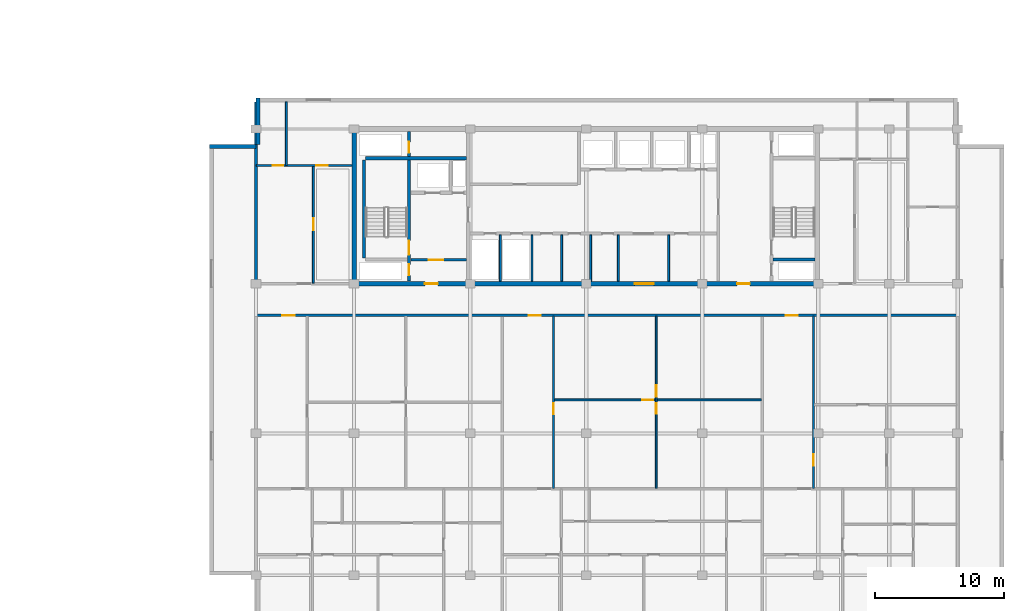
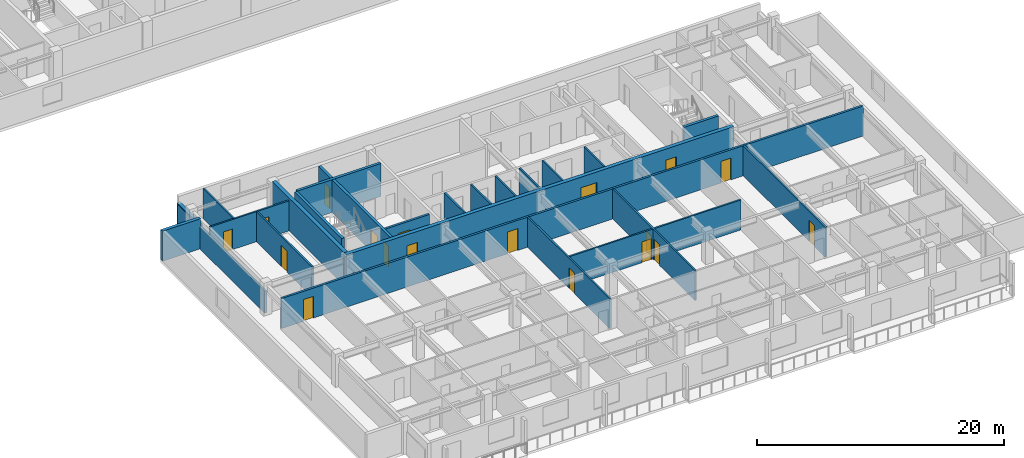
# One storey, part 6 of 24: 24 walls, 18 doors, 18 openings.
"""IFC4 building model written with IfcOpenShell, lengths in metres."""

from ifc_helpers import new_model, si_unit, direction, frame, frame_2d, origin, place, context, subcontext, project, spatial, rectangle, extrude, material, layer, layer_set, type_object, element, fill, save


model = new_model("IFC4")

# Units and contexts
model_context = context("Model", 3, precision=1e-05, world=origin(), true_north=direction((0.0, 1.0)))
body_context = subcontext(model_context, "Body", "Model", "MODEL_VIEW")
ifc_project = project(units=[si_unit("LENGTHUNIT", "METRE"), si_unit("AREAUNIT", "SQUARE_METRE"), si_unit("VOLUMEUNIT", "CUBIC_METRE"), si_unit("PLANEANGLEUNIT", "RADIAN"), si_unit("MASSUNIT", "GRAM", prefix="KILO")], contexts=[model_context])

# Site, building, storey
site_placement = place(None, origin())
site = spatial("IfcSite", under=ifc_project, at=site_placement, CompositionType="ELEMENT")
building_placement = place(site_placement, origin())
building = spatial("IfcBuilding", under=site, at=building_placement, Name="Korimba Cascade Residences", CompositionType="ELEMENT")
storey_placement = place(building_placement, frame((0.0, 0.0, 168.60009765625)))
storey = spatial("IfcBuildingStorey", under=building, at=storey_placement, Name="L48", CompositionType="ELEMENT", Elevation=168.60009765625)

# Walls
ifc_material_1 = material(Name="Precast concrete C40/50", Category="concrete")
ifc_layer_1 = layer(ifc_material_1, 0.300048828125)
ifc_layer_set_1 = layer_set([ifc_layer_1], Name="Precast concrete C40/50")
wall_type_1 = type_object("IfcWallType", Name="EW-STONE-300", PredefinedType="STANDARD", material=ifc_layer_set_1)
wall_1_placement = place(storey_placement, frame((74.64990234375, 32.800048828125, 0.0), z_axis=(0.0, 0.0, 1.0), x_axis=(0.0, -1.0, 0.0)))
element("IfcWall", 1, at=wall_1_placement, inside=storey, type_object=wall_type_1, Name="L48 T2 Perimeter Stone Wall E07", PredefinedType="STANDARD", context=body_context, shape_type="SweptSolid", body=[
    extrude(rectangle(XDim=3.60009765625, YDim=0.300048828125, at=frame_2d((1.800048828125, 0.0))), origin(), (0.0, 0.0, 1.0), 2.2001953125),
])
wall_2_placement = place(storey_placement, frame((74.5, 29.050048828125, 0.0), z_axis=(0.0, 0.0, 1.0), x_axis=(-1.0, 0.0, 0.0)))
element("IfcWall", 2, at=wall_2_placement, inside=storey, type_object=wall_type_1, Name="L48 T2 Perimeter Stone Wall E08", PredefinedType="STANDARD", context=body_context, shape_type="SweptSolid", body=[
    extrude(rectangle(XDim=3.60009765625, YDim=0.300048828125, at=frame_2d((1.800048828125, 0.0))), origin(), (0.0, 0.0, 1.0), 2.969970703125),
])
ifc_material_2 = material(Name="Concrete C65/80", Category="concrete")
ifc_layer_2 = layer(ifc_material_2, 0.35009765625)
ifc_layer_set_2 = layer_set([ifc_layer_2], Name="Concrete C65/80")
wall_type_2 = type_object("IfcWallType", Name="WAL-CORE-350", PredefinedType="SHEAR", material=ifc_layer_set_2)
wall_3_placement = place(storey_placement, frame((82.10009765625, 18.574951171875, 0.0), z_axis=(0.0, 0.0, 1.0), x_axis=(0.0, 1.0, 0.0)))
element("IfcWall", 3, at=wall_3_placement, inside=storey, type_object=wall_type_2, Name="L48 Core Shear Wall CW-L48-T2-W", PredefinedType="SHEAR", context=body_context, shape_type="SweptSolid", body=[
    extrude(rectangle(XDim=11.650146484375, YDim=0.35009765625, at=frame_2d((5.8251953125, 0.0))), origin(), (0.0, 0.0, 1.0), 3.25),
])

# Wall, openings, doors
wall_4_placement = place(storey_placement, frame((81.925048828125, 18.39990234375, 0.0), z_axis=(0.0, 0.0, 1.0), x_axis=(1.0, 0.0, 0.0)))
wall_4 = element("IfcWall", 4, at=wall_4_placement, inside=storey, type_object=wall_type_2, Name="L48 Core Shear Wall CW-L48-T2-S", PredefinedType="SHEAR", context=body_context, shape_type="SweptSolid", body=[
    extrude(rectangle(XDim=36.264892578125, YDim=0.35009765625, at=frame_2d((18.13232421875, 0.0))), origin(), (0.0, 0.0, 1.0), 3.25),
])
opening_1_placement = place(wall_4_placement, frame((5.675048828125, 0.0, 0.0)))
opening_1 = element("IfcOpeningElement", 5, at=opening_1_placement, cuts=wall_4, Name="Opening D-FD5", PredefinedType="OPENING", context=body_context, shape_type="SweptSolid", body=[
    extrude(rectangle(XDim=1.0, YDim=2.14990234375, at=frame_2d((0.5, 1.074951171875))), frame((0.0, 0.18505859375, 0.0), z_axis=(0.0, -1.0, 0.0), x_axis=(1.0, 0.0, 0.0)), (0.0, 0.0, 1.0), 0.3701171875),
])
opening_2_placement = place(wall_4_placement, frame((21.925048828125, 0.0, 0.0)))
opening_2 = element("IfcOpeningElement", 6, at=opening_2_placement, cuts=wall_4, Name="Opening D-FD8", PredefinedType="OPENING", context=body_context, shape_type="SweptSolid", body=[
    extrude(rectangle(XDim=1.5, YDim=2.199951171875, at=frame_2d((0.75, 1.10009765625))), frame((0.0, 0.18505859375, 0.0), z_axis=(0.0, -1.0, 0.0), x_axis=(1.0, 0.0, 0.0)), (0.0, 0.0, 1.0), 0.3701171875),
])
opening_3_placement = place(wall_4_placement, frame((29.875, 0.0, 0.0)))
opening_3 = element("IfcOpeningElement", 7, at=opening_3_placement, cuts=wall_4, Name="Opening D-FD5", PredefinedType="OPENING", context=body_context, shape_type="SweptSolid", body=[
    extrude(rectangle(XDim=1.0, YDim=2.14990234375, at=frame_2d((0.5, 1.074951171875))), frame((0.0, 0.18505859375, 0.0), z_axis=(0.0, -1.0, 0.0), x_axis=(1.0, 0.0, 0.0)), (0.0, 0.0, 1.0), 0.3701171875),
])
ifc_material_3 = material(Name="Fire-Rated Acoustic Timber Vestibule Door", Category="wood")
door_type_1 = type_object("IfcDoorType", Name="DR-FD90-1000", OperationType="NOTDEFINED", PredefinedType="DOOR", material=ifc_material_3)
door_1_placement = place(opening_1_placement, origin())
door_1 = element("IfcDoor", 8, at=door_1_placement, inside=storey, type_object=door_type_1, Name="L48 T2 West Core Vestibule Fire Door", OperationType="SINGLE_SWING_RIGHT", OverallHeight=2.14990234375, OverallWidth=1.0, PredefinedType="DOOR", context=body_context, shape_type="SweptSolid", body=[
    extrude(rectangle(XDim=1.0, YDim=2.14990234375, at=frame_2d((0.5, 1.074951171875))), frame((0.0, 0.02490234375, 0.0), z_axis=(0.0, -1.0, 0.0), x_axis=(1.0, 0.0, 0.0)), (0.0, 0.0, 1.0), 0.050048828125),
])
fill(opening_1, door_1)
door_2_placement = place(opening_3_placement, origin())
door_2 = element("IfcDoor", 9, at=door_2_placement, inside=storey, type_object=door_type_1, Name="L48 T2 East Stair Vestibule Fire Door", OperationType="SINGLE_SWING_LEFT", OverallHeight=2.14990234375, OverallWidth=1.0, PredefinedType="DOOR", context=body_context, shape_type="SweptSolid", body=[
    extrude(rectangle(XDim=1.0, YDim=2.14990234375, at=frame_2d((0.5, 1.074951171875))), frame((0.0, 0.02490234375, 0.0), z_axis=(0.0, -1.0, 0.0), x_axis=(1.0, 0.0, 0.0)), (0.0, 0.0, 1.0), 0.050048828125),
])
fill(opening_3, door_2)
ifc_material_4 = material(Name="Fire-Rated Glazed Lift Lobby Double Door", Category="glass")
door_type_2 = type_object("IfcDoorType", Name="DR-FD90-1500", OperationType="NOTDEFINED", PredefinedType="DOOR", material=ifc_material_4)
door_3_placement = place(opening_2_placement, origin())
door_3 = element("IfcDoor", 10, at=door_3_placement, inside=storey, type_object=door_type_2, Name="L48 T2 Lift Lobby Fire Door", OperationType="DOUBLE_DOOR_SINGLE_SWING", OverallHeight=2.199951171875, OverallWidth=1.5, PredefinedType="DOOR", context=body_context, shape_type="SweptSolid", body=[
    extrude(rectangle(XDim=1.5, YDim=2.199951171875, at=frame_2d((0.75, 1.10009765625))), frame((0.0, 0.02490234375, 0.0), z_axis=(0.0, -1.0, 0.0), x_axis=(1.0, 0.0, 0.0)), (0.0, 0.0, 1.0), 0.050048828125),
])
fill(opening_2, door_3)

# Wall
ifc_layer_3 = layer(ifc_material_1, 0.199951171875)
ifc_layer_set_3 = layer_set([ifc_layer_3], Name="Precast concrete C40/50")
wall_type_3 = type_object("IfcWallType", Name="WAL-IT-200", PredefinedType="PARTITIONING", material=ifc_layer_set_3)
wall_5_placement = place(storey_placement, frame((74.5, 18.39990234375, 0.0), z_axis=(0.0, 0.0, 1.0), x_axis=(0.0, 1.0, 0.0)))
element("IfcWall", 11, at=wall_5_placement, inside=storey, type_object=wall_type_3, Name="L48 Partition Wall WAL-L48-T2-FW-WL", PredefinedType="PARTITIONING", context=body_context, shape_type="SweptSolid", body=[
    extrude(rectangle(XDim=14.10009765625, YDim=0.199951171875, at=frame_2d((7.050048828125, 0.0))), origin(), (0.0, 0.0, 1.0), 2.2001953125),
])

# Wall, openings, doors
wall_6_placement = place(storey_placement, frame((74.5, 15.949951171875, 0.0), z_axis=(0.0, 0.0, 1.0), x_axis=(1.0, 0.0, 0.0)))
wall_6 = element("IfcWall", 12, at=wall_6_placement, inside=storey, type_object=wall_type_3, Name="L48 Partition Wall WAL-L48-T2-CORS", PredefinedType="PARTITIONING", context=body_context, shape_type="SweptSolid", body=[
    extrude(rectangle(XDim=54.39990234375, YDim=0.199951171875, at=frame_2d((27.199951171875, 0.0))), origin(), (0.0, 0.0, 1.0), 2.969970703125),
])
opening_4_placement = place(wall_6_placement, frame((2.044921875, 0.0, 0.0)))
opening_4 = element("IfcOpeningElement", 13, at=opening_4_placement, cuts=wall_6, Name="Opening D-UN1", PredefinedType="OPENING", context=body_context, shape_type="SweptSolid", body=[
    extrude(rectangle(XDim=0.949951171875, YDim=2.14990234375, at=frame_2d((0.47509765625, 1.074951171875))), frame((0.0, 0.10986328125, 0.0), z_axis=(0.0, -1.0, 0.0), x_axis=(1.0, 0.0, 0.0)), (0.0, 0.0, 1.0), 0.219970703125),
])
opening_5_placement = place(wall_6_placement, frame((21.144287109375, 0.0, 0.0)))
opening_5 = element("IfcOpeningElement", 14, at=opening_5_placement, cuts=wall_6, Name="Opening D-UN1", PredefinedType="OPENING", context=body_context, shape_type="SweptSolid", body=[
    extrude(rectangle(XDim=0.949951171875, YDim=2.14990234375, at=frame_2d((0.47509765625, 1.074951171875))), frame((0.0, 0.10986328125, 0.0), z_axis=(0.0, -1.0, 0.0), x_axis=(1.0, 0.0, 0.0)), (0.0, 0.0, 1.0), 0.219970703125),
])
opening_6_placement = place(wall_6_placement, frame((41.0703125, 0.0, 0.0)))
opening_6 = element("IfcOpeningElement", 15, at=opening_6_placement, cuts=wall_6, Name="Opening D-UN1", PredefinedType="OPENING", context=body_context, shape_type="SweptSolid", body=[
    extrude(rectangle(XDim=0.949951171875, YDim=2.14990234375, at=frame_2d((0.47509765625, 1.074951171875))), frame((0.0, 0.10986328125, 0.0), z_axis=(0.0, -1.0, 0.0), x_axis=(1.0, 0.0, 0.0)), (0.0, 0.0, 1.0), 0.219970703125),
])
ifc_material_5 = material(Name="Fire-Rated Hardwood Apartment Entrance Door", Category="wood")
door_type_3 = type_object("IfcDoorType", Name="DR-FD60-950", OperationType="NOTDEFINED", PredefinedType="DOOR", material=ifc_material_5)
door_4_placement = place(opening_4_placement, origin())
door_4 = element("IfcDoor", 16, at=door_4_placement, inside=storey, type_object=door_type_3, Name="Unit L48-T2-U01 Entrance Door", OperationType="SINGLE_SWING_RIGHT", OverallHeight=2.14990234375, OverallWidth=0.949951171875, PredefinedType="DOOR", context=body_context, shape_type="SweptSolid", body=[
    extrude(rectangle(XDim=0.949951171875, YDim=2.14990234375, at=frame_2d((0.47509765625, 1.074951171875))), frame((0.0, 0.02490234375, 0.0), z_axis=(0.0, -1.0, 0.0), x_axis=(1.0, 0.0, 0.0)), (0.0, 0.0, 1.0), 0.050048828125),
])
fill(opening_4, door_4)
door_5_placement = place(opening_5_placement, origin())
door_5 = element("IfcDoor", 17, at=door_5_placement, inside=storey, type_object=door_type_3, Name="Unit L48-T2-U02 Entrance Door", OperationType="SINGLE_SWING_LEFT", OverallHeight=2.14990234375, OverallWidth=0.949951171875, PredefinedType="DOOR", context=body_context, shape_type="SweptSolid", body=[
    extrude(rectangle(XDim=0.949951171875, YDim=2.14990234375, at=frame_2d((0.47509765625, 1.074951171875))), frame((0.0, 0.02490234375, 0.0), z_axis=(0.0, -1.0, 0.0), x_axis=(1.0, 0.0, 0.0)), (0.0, 0.0, 1.0), 0.050048828125),
])
fill(opening_5, door_5)
door_6_placement = place(opening_6_placement, origin())
door_6 = element("IfcDoor", 18, at=door_6_placement, inside=storey, type_object=door_type_3, Name="Unit L48-T2-U03 Entrance Door", OperationType="SINGLE_SWING_RIGHT", OverallHeight=2.14990234375, OverallWidth=0.949951171875, PredefinedType="DOOR", context=body_context, shape_type="SweptSolid", body=[
    extrude(rectangle(XDim=0.949951171875, YDim=2.14990234375, at=frame_2d((0.47509765625, 1.074951171875))), frame((0.0, 0.02490234375, 0.0), z_axis=(0.0, -1.0, 0.0), x_axis=(1.0, 0.0, 0.0)), (0.0, 0.0, 1.0), 0.050048828125),
])
fill(opening_6, door_6)

# Walls
ifc_material_6 = material(Name="Insulated Acoustic Stud Partition", Category="gypsum")
ifc_layer_4 = layer(ifc_material_6, 0.14990234375)
ifc_layer_set_4 = layer_set([ifc_layer_4], Name="Insulated Acoustic Stud Partition")
wall_type_4 = type_object("IfcWallType", Name="WAL-PART-150", PredefinedType="PARTITIONING", material=ifc_layer_set_4)
for number, where, z_axis, x_axis, name in (
    (19, (93.449951171875, 18.60009765625, 0.0), (0.0, 0.0, 1.0), (0.0, 1.0, 0.0), "L48 Partition Wall CW-L48-T2-ERDIV"),
    (20, (95.89990234375, 18.60009765625, 0.0), (0.0, 0.0, 1.0), (0.0, 1.0, 0.0), "L48 Partition Wall CW-L48-T2-PRDIV"),
    (21, (98.199951171875, 18.60009765625, 0.0), (0.0, 0.0, 1.0), (0.0, 1.0, 0.0), "L48 Partition Wall CW-L48-T2-CA1W1"),
    (22, (100.449951171875, 18.60009765625, 0.0), (0.0, 0.0, 1.0), (0.0, 1.0, 0.0), "L48 Partition Wall CW-L48-T2-CA1W2"),
    (23, (102.60009765625, 18.60009765625, 0.0), (0.0, 0.0, 1.0), (0.0, 1.0, 0.0), "L48 Partition Wall CW-L48-T2-THW"),
    (24, (106.5, 18.60009765625, 0.0), (0.0, 0.0, 1.0), (0.0, 1.0, 0.0), "L48 Partition Wall CW-L48-T2-THE"),
):
    element("IfcWall", number, at=place(storey_placement, frame(where, z_axis=z_axis, x_axis=x_axis)), inside=storey, type_object=wall_type_4, Name=name, PredefinedType="PARTITIONING", context=body_context, shape_type="SweptSolid", body=[
        extrude(rectangle(XDim=3.599853515625, YDim=0.14990234375, at=frame_2d((1.7998046875, 0.0))), origin(), (0.0, 0.0, 1.0), 2.969970703125),
    ])

# Wall, opening, door
wall_7_placement = place(storey_placement, frame((78.945068359375, 18.449951171875, 0.0), z_axis=(0.0, 0.0, 1.0), x_axis=(0.0, 1.0, 0.0)))
wall_7 = element("IfcWall", 25, at=wall_7_placement, inside=storey, type_object=wall_type_4, Name="L48 Partition Wall WAL-L48-T2-FW-VS", PredefinedType="PARTITIONING", context=body_context, shape_type="SweptSolid", body=[
    extrude(rectangle(XDim=9.1201171875, YDim=0.14990234375, at=frame_2d((4.56005859375, 0.0))), origin(), (0.0, 0.0, 1.0), 2.969970703125),
])
opening_7_placement = place(wall_7_placement, frame((4.10009765625, 0.0, 0.0)))
opening_7 = element("IfcOpeningElement", 26, at=opening_7_placement, cuts=wall_7, Name="Opening D-IN1", PredefinedType="OPENING", context=body_context, shape_type="SweptSolid", body=[
    extrude(rectangle(XDim=0.919921875, YDim=2.080078125, at=frame_2d((0.4599609375, 1.0400390625))), frame((0.0, 0.0849609375, 0.0), z_axis=(0.0, -1.0, 0.0), x_axis=(1.0, 0.0, 0.0)), (0.0, 0.0, 1.0), 0.169921875),
])
ifc_material_7 = material(Name="Acoustic Timber Living Door", Category="wood")
door_type_4 = type_object("IfcDoorType", Name="DR-INT-920", OperationType="NOTDEFINED", PredefinedType="DOOR", material=ifc_material_7)
door_7_placement = place(opening_7_placement, origin())
door_7 = element("IfcDoor", 27, at=door_7_placement, inside=storey, type_object=door_type_4, Name="L48-T2-FW Living Door", OperationType="SINGLE_SWING_RIGHT", OverallHeight=2.080078125, OverallWidth=0.919921875, PredefinedType="DOOR", context=body_context, shape_type="SweptSolid", body=[
    extrude(rectangle(XDim=0.919921875, YDim=2.080078125, at=frame_2d((0.4599609375, 1.0400390625))), frame((0.0, 0.02490234375, 0.0), z_axis=(0.0, -1.0, 0.0), x_axis=(1.0, 0.0, 0.0)), (0.0, 0.0, 1.0), 0.050048828125),
])
fill(opening_7, door_7)

# Wall
wall_8_placement = place(storey_placement, frame((76.85009765625, 27.570068359375, 0.0), z_axis=(0.0, 0.0, 1.0), x_axis=(0.0, 1.0, 0.0)))
element("IfcWall", 28, at=wall_8_placement, inside=storey, type_object=wall_type_4, Name="L48 Partition Wall WAL-L48-T2-FW-VN", PredefinedType="PARTITIONING", context=body_context, shape_type="SweptSolid", body=[
    extrude(rectangle(XDim=4.929931640625, YDim=0.14990234375, at=frame_2d((2.46484375, 0.0))), origin(), (0.0, 0.0, 1.0), 2.969970703125),
])

# Wall, openings, doors
wall_9_placement = place(storey_placement, frame((74.52001953125, 27.570068359375, 0.0), z_axis=(0.0, 0.0, 1.0), x_axis=(1.0, 0.0, 0.0)))
wall_9 = element("IfcWall", 29, at=wall_9_placement, inside=storey, type_object=wall_type_4, Name="L48 Partition Wall WAL-L48-T2-FW-H", PredefinedType="PARTITIONING", context=body_context, shape_type="SweptSolid", body=[
    extrude(rectangle(XDim=7.409912109375, YDim=0.14990234375, at=frame_2d((3.705078125, 0.0))), origin(), (0.0, 0.0, 1.0), 2.969970703125),
])
opening_8_placement = place(wall_9_placement, frame((1.266357421875, 0.0, 0.0)))
opening_8 = element("IfcOpeningElement", 30, at=opening_8_placement, cuts=wall_9, Name="Opening D-BT1", PredefinedType="OPENING", context=body_context, shape_type="SweptSolid", body=[
    extrude(rectangle(XDim=0.840087890625, YDim=2.0400390625, at=frame_2d((0.419921875, 1.02001953125))), frame((0.0, 0.0849609375, 0.0), z_axis=(0.0, -1.0, 0.0), x_axis=(1.0, 0.0, 0.0)), (0.0, 0.0, 1.0), 0.169921875),
])
opening_9_placement = place(wall_9_placement, frame((4.64501953125, 0.0, 0.0)))
opening_9 = element("IfcOpeningElement", 31, at=opening_9_placement, cuts=wall_9, Name="Opening D-IN2", PredefinedType="OPENING", context=body_context, shape_type="SweptSolid", body=[
    extrude(rectangle(XDim=0.8798828125, YDim=2.06005859375, at=frame_2d((0.43994140625, 1.030029296875))), frame((0.0, 0.0849609375, 0.0), z_axis=(0.0, -1.0, 0.0), x_axis=(1.0, 0.0, 0.0)), (0.0, 0.0, 1.0), 0.169921875),
])
ifc_material_8 = material(Name="Moisture-Resistant Bathroom Timber Door", Category="wood")
door_type_5 = type_object("IfcDoorType", Name="DR-INT-850", OperationType="NOTDEFINED", PredefinedType="DOOR", material=ifc_material_8)
door_8_placement = place(opening_8_placement, origin())
door_8 = element("IfcDoor", 32, at=door_8_placement, inside=storey, type_object=door_type_5, Name="L48-T2-FW Bathroom Door", OperationType="SINGLE_SWING_LEFT", OverallHeight=2.0400390625, OverallWidth=0.840087890625, PredefinedType="DOOR", context=body_context, shape_type="SweptSolid", body=[
    extrude(rectangle(XDim=0.840087890625, YDim=2.0400390625, at=frame_2d((0.419921875, 1.02001953125))), frame((0.0, 0.02490234375, 0.0), z_axis=(0.0, -1.0, 0.0), x_axis=(1.0, 0.0, 0.0)), (0.0, 0.0, 1.0), 0.050048828125),
])
fill(opening_8, door_8)
ifc_material_9 = material(Name="Acoustic Timber Bedroom Door", Category="wood")
door_type_6 = type_object("IfcDoorType", Name="DR-INT-880", OperationType="NOTDEFINED", PredefinedType="DOOR", material=ifc_material_9)
door_9_placement = place(opening_9_placement, origin())
door_9 = element("IfcDoor", 33, at=door_9_placement, inside=storey, type_object=door_type_6, Name="L48-T2-FW Bedroom Door", OperationType="SINGLE_SWING_RIGHT", OverallHeight=2.06005859375, OverallWidth=0.8798828125, PredefinedType="DOOR", context=body_context, shape_type="SweptSolid", body=[
    extrude(rectangle(XDim=0.8798828125, YDim=2.06005859375, at=frame_2d((0.43994140625, 1.030029296875))), frame((0.0, 0.02490234375, 0.0), z_axis=(0.0, -1.0, 0.0), x_axis=(1.0, 0.0, 0.0)), (0.0, 0.0, 1.0), 0.050048828125),
])
fill(opening_9, door_9)

wall_10_placement = place(storey_placement, frame((105.534912109375, 2.5400390625, 0.0), z_axis=(0.0, 0.0, 1.0), x_axis=(0.0, 1.0, 0.0)))
wall_10 = element("IfcWall", 34, at=wall_10_placement, inside=storey, type_object=wall_type_4, Name="L48 Partition Wall WAL-L48-T2-U02-FMV", PredefinedType="PARTITIONING", context=body_context, shape_type="SweptSolid", body=[
    extrude(rectangle(XDim=13.349853515625, YDim=0.14990234375, at=frame_2d((6.6748046875, 0.0))), origin(), (0.0, 0.0, 1.0), 2.969970703125),
])
opening_10_placement = place(wall_10_placement, frame((5.764892578125, 0.0, 0.0)))
opening_10 = element("IfcOpeningElement", 35, at=opening_10_placement, cuts=wall_10, Name="Opening D-BT1", PredefinedType="OPENING", context=body_context, shape_type="SweptSolid", body=[
    extrude(rectangle(XDim=0.840087890625, YDim=2.0400390625, at=frame_2d((0.419921875, 1.02001953125))), frame((0.0, 0.0849609375, 0.0), z_axis=(0.0, -1.0, 0.0), x_axis=(1.0, 0.0, 0.0)), (0.0, 0.0, 1.0), 0.169921875),
])
opening_11_placement = place(wall_10_placement, frame((7.10498046875, 0.0, 0.0)))
opening_11 = element("IfcOpeningElement", 36, at=opening_11_placement, cuts=wall_10, Name="Opening D-IN2", PredefinedType="OPENING", context=body_context, shape_type="SweptSolid", body=[
    extrude(rectangle(XDim=0.8798828125, YDim=2.06005859375, at=frame_2d((0.43994140625, 1.030029296875))), frame((0.0, 0.0849609375, 0.0), z_axis=(0.0, -1.0, 0.0), x_axis=(1.0, 0.0, 0.0)), (0.0, 0.0, 1.0), 0.169921875),
])
door_10_placement = place(opening_10_placement, origin())
door_10 = element("IfcDoor", 37, at=door_10_placement, inside=storey, type_object=door_type_5, Name="L48-T2-U02 Wardrobe Door", OperationType="SINGLE_SWING_LEFT", OverallHeight=2.0400390625, OverallWidth=0.840087890625, PredefinedType="DOOR", context=body_context, shape_type="SweptSolid", body=[
    extrude(rectangle(XDim=0.840087890625, YDim=2.0400390625, at=frame_2d((0.419921875, 1.02001953125))), frame((0.0, 0.02490234375, 0.0), z_axis=(0.0, -1.0, 0.0), x_axis=(1.0, 0.0, 0.0)), (0.0, 0.0, 1.0), 0.050048828125),
])
fill(opening_10, door_10)
door_11_placement = place(opening_11_placement, origin())
door_11 = element("IfcDoor", 38, at=door_11_placement, inside=storey, type_object=door_type_6, Name="L48-T2-U02 Music Lounge Door", OperationType="SINGLE_SWING_RIGHT", OverallHeight=2.06005859375, OverallWidth=0.8798828125, PredefinedType="DOOR", context=body_context, shape_type="SweptSolid", body=[
    extrude(rectangle(XDim=0.8798828125, YDim=2.06005859375, at=frame_2d((0.43994140625, 1.030029296875))), frame((0.0, 0.02490234375, 0.0), z_axis=(0.0, -1.0, 0.0), x_axis=(1.0, 0.0, 0.0)), (0.0, 0.0, 1.0), 0.050048828125),
])
fill(opening_11, door_11)

# Wall, opening, door
wall_11_placement = place(storey_placement, frame((97.629150390625, 9.39501953125, 0.0), z_axis=(0.0, 0.0, 1.0), x_axis=(1.0, 0.0, 0.0)))
wall_11 = element("IfcWall", 39, at=wall_11_placement, inside=storey, type_object=wall_type_4, Name="L48 Partition Wall WAL-L48-T2-U02-FMH", PredefinedType="PARTITIONING", context=body_context, shape_type="SweptSolid", body=[
    extrude(rectangle(XDim=16.05126953125, YDim=0.14990234375, at=frame_2d((8.025634765625, 0.0))), origin(), (0.0, 0.0, 1.0), 2.969970703125),
])
opening_12_placement = place(wall_11_placement, frame((6.8056640625, 0.0, 0.0)))
opening_12 = element("IfcOpeningElement", 40, at=opening_12_placement, cuts=wall_11, Name="Opening D-IN2", PredefinedType="OPENING", context=body_context, shape_type="SweptSolid", body=[
    extrude(rectangle(XDim=0.8798828125, YDim=2.06005859375, at=frame_2d((0.43994140625, 1.030029296875))), frame((0.0, 0.0849609375, 0.0), z_axis=(0.0, -1.0, 0.0), x_axis=(1.0, 0.0, 0.0)), (0.0, 0.0, 1.0), 0.169921875),
])
door_12_placement = place(opening_12_placement, origin())
door_12 = element("IfcDoor", 41, at=door_12_placement, inside=storey, type_object=door_type_6, Name="L48-T2-U02 Library Salon Door", OperationType="SINGLE_SWING_LEFT", OverallHeight=2.06005859375, OverallWidth=0.8798828125, PredefinedType="DOOR", context=body_context, shape_type="SweptSolid", body=[
    extrude(rectangle(XDim=0.8798828125, YDim=2.06005859375, at=frame_2d((0.43994140625, 1.030029296875))), frame((0.0, 0.02490234375, 0.0), z_axis=(0.0, -1.0, 0.0), x_axis=(1.0, 0.0, 0.0)), (0.0, 0.0, 1.0), 0.050048828125),
])
fill(opening_12, door_12)

wall_12_placement = place(storey_placement, frame((97.569091796875, 2.5400390625, 0.0), z_axis=(0.0, 0.0, 1.0), x_axis=(0.0, 1.0, 0.0)))
wall_12 = element("IfcWall", 42, at=wall_12_placement, inside=storey, type_object=wall_type_4, Name="L48 Partition Wall WAL-L48-T2-U02-FV", PredefinedType="PARTITIONING", context=body_context, shape_type="SweptSolid", body=[
    extrude(rectangle(XDim=13.349853515625, YDim=0.14990234375, at=frame_2d((6.6748046875, 0.0))), origin(), (0.0, 0.0, 1.0), 2.969970703125),
])
opening_13_placement = place(wall_12_placement, frame((5.72509765625, 0.0, 0.0)))
opening_13 = element("IfcOpeningElement", 43, at=opening_13_placement, cuts=wall_12, Name="Opening D-IN2", PredefinedType="OPENING", context=body_context, shape_type="SweptSolid", body=[
    extrude(rectangle(XDim=0.8798828125, YDim=2.06005859375, at=frame_2d((0.43994140625, 1.030029296875))), frame((0.0, 0.0849609375, 0.0), z_axis=(0.0, -1.0, 0.0), x_axis=(1.0, 0.0, 0.0)), (0.0, 0.0, 1.0), 0.169921875),
])
door_13_placement = place(opening_13_placement, origin())
door_13 = element("IfcDoor", 44, at=door_13_placement, inside=storey, type_object=door_type_6, Name="L48-T2-U02 Media Lounge Door", OperationType="SINGLE_SWING_RIGHT", OverallHeight=2.06005859375, OverallWidth=0.8798828125, PredefinedType="DOOR", context=body_context, shape_type="SweptSolid", body=[
    extrude(rectangle(XDim=0.8798828125, YDim=2.06005859375, at=frame_2d((0.43994140625, 1.030029296875))), frame((0.0, 0.02490234375, 0.0), z_axis=(0.0, -1.0, 0.0), x_axis=(1.0, 0.0, 0.0)), (0.0, 0.0, 1.0), 0.050048828125),
])
fill(opening_13, door_13)

wall_13_placement = place(storey_placement, frame((117.73046875, 2.5400390625, 0.0), z_axis=(0.0, 0.0, 1.0), x_axis=(0.0, 1.0, 0.0)))
wall_13 = element("IfcWall", 45, at=wall_13_placement, inside=storey, type_object=wall_type_4, Name="L48 Partition Wall WAL-L48-T2-U03-FV", PredefinedType="PARTITIONING", context=body_context, shape_type="SweptSolid", body=[
    extrude(rectangle(XDim=13.349853515625, YDim=0.14990234375, at=frame_2d((6.6748046875, 0.0))), origin(), (0.0, 0.0, 1.0), 2.969970703125),
])
opening_14_placement = place(wall_13_placement, frame((1.754150390625, 0.0, 0.0)))
opening_14 = element("IfcOpeningElement", 46, at=opening_14_placement, cuts=wall_13, Name="Opening D-IN2", PredefinedType="OPENING", context=body_context, shape_type="SweptSolid", body=[
    extrude(rectangle(XDim=0.8798828125, YDim=2.06005859375, at=frame_2d((0.43994140625, 1.030029296875))), frame((0.0, 0.0849609375, 0.0), z_axis=(0.0, -1.0, 0.0), x_axis=(1.0, 0.0, 0.0)), (0.0, 0.0, 1.0), 0.169921875),
])
door_14_placement = place(opening_14_placement, origin())
door_14 = element("IfcDoor", 47, at=door_14_placement, inside=storey, type_object=door_type_6, Name="L48-T2-U03 Media Lounge Door", OperationType="SINGLE_SWING_RIGHT", OverallHeight=2.06005859375, OverallWidth=0.8798828125, PredefinedType="DOOR", context=body_context, shape_type="SweptSolid", body=[
    extrude(rectangle(XDim=0.8798828125, YDim=2.06005859375, at=frame_2d((0.43994140625, 1.030029296875))), frame((0.0, 0.02490234375, 0.0), z_axis=(0.0, -1.0, 0.0), x_axis=(1.0, 0.0, 0.0)), (0.0, 0.0, 1.0), 0.050048828125),
])
fill(opening_14, door_14)

ifc_material_10 = material(Name="Concrete C40/50", Category="concrete")
ifc_layer_5 = layer(ifc_material_10, 0.199951171875)
ifc_layer_set_5 = layer_set([ifc_layer_5], Name="Concrete C40/50")
wall_type_5 = type_object("IfcWallType", Name="WAL-PART-200", PredefinedType="PARTITIONING", material=ifc_layer_set_5)
wall_14_placement = place(storey_placement, frame((86.5, 20.25, 0.0), z_axis=(0.0, 0.0, 1.0), x_axis=(1.0, 0.0, 0.0)))
wall_14 = element("IfcWall", 48, at=wall_14_placement, inside=storey, type_object=wall_type_5, Name="L48 Partition Wall CW-L48-T2-FFLS", PredefinedType="PARTITIONING", context=body_context, shape_type="SweptSolid", body=[
    extrude(rectangle(XDim=4.320068359375, YDim=0.199951171875, at=frame_2d((2.16015625, 0.0))), origin(), (0.0, 0.0, 1.0), 2.969970703125),
])
opening_15_placement = place(wall_14_placement, frame((1.39990234375, 0.0, 0.0)))
opening_15 = element("IfcOpeningElement", 49, at=opening_15_placement, cuts=wall_14, Name="Opening D-FD1", PredefinedType="OPENING", context=body_context, shape_type="SweptSolid", body=[
    extrude(rectangle(XDim=1.10009765625, YDim=2.10009765625, at=frame_2d((0.550048828125, 1.050048828125))), frame((0.0, 0.10986328125, 0.0), z_axis=(0.0, -1.0, 0.0), x_axis=(1.0, 0.0, 0.0)), (0.0, 0.0, 1.0), 0.219970703125),
])
ifc_material_11 = material(Name="Fire-Rated Steel Core Door", Category="steel")
door_type_7 = type_object("IfcDoorType", Name="DR-FD120-1100", OperationType="NOTDEFINED", PredefinedType="DOOR", material=ifc_material_11)
door_15_placement = place(opening_15_placement, origin())
door_15 = element("IfcDoor", 50, at=door_15_placement, inside=storey, type_object=door_type_7, Name="L48 T2 Firefighting Lobby Door", OperationType="SINGLE_SWING_RIGHT", OverallHeight=2.10009765625, OverallWidth=1.10009765625, PredefinedType="DOOR", context=body_context, shape_type="SweptSolid", body=[
    extrude(rectangle(XDim=1.10009765625, YDim=2.10009765625, at=frame_2d((0.550048828125, 1.050048828125))), frame((0.0, 0.02490234375, 0.0), z_axis=(0.0, -1.0, 0.0), x_axis=(1.0, 0.0, 0.0)), (0.0, 0.0, 1.0), 0.050048828125),
])
fill(opening_15, door_15)

# Wall
ifc_material_12 = material(Name="Concrete C50/60", Category="concrete")
ifc_layer_6 = layer(ifc_material_12, 0.25)
ifc_layer_set_6 = layer_set([ifc_layer_6], Name="Concrete C50/60")
wall_type_6 = type_object("IfcWallType", Name="WAL-SHAFT-250", PredefinedType="SHEAR", material=ifc_layer_set_6)
wall_15_placement = place(storey_placement, frame((82.875, 20.39990234375, 0.0), z_axis=(0.0, 0.0, 1.0), x_axis=(0.0, 1.0, 0.0)))
element("IfcWall", 51, at=wall_15_placement, inside=storey, type_object=wall_type_6, Name="L48 Core Shear Wall CW-L48-T2-STE1W", PredefinedType="SHEAR", context=body_context, shape_type="SweptSolid", body=[
    extrude(rectangle(XDim=7.60009765625, YDim=0.25, at=frame_2d((3.800048828125, 0.0))), origin(), (0.0, 0.0, 1.0), 3.25),
])

# Wall, openings, doors
wall_16_placement = place(storey_placement, frame((86.364990234375, 18.60009765625, 0.0), z_axis=(0.0, 0.0, 1.0), x_axis=(0.0, 1.0, 0.0)))
wall_16 = element("IfcWall", 52, at=wall_16_placement, inside=storey, type_object=wall_type_6, Name="L48 Core Shear Wall CW-L48-T2-STE1E", PredefinedType="SHEAR", context=body_context, shape_type="SweptSolid", body=[
    extrude(rectangle(XDim=11.599853515625, YDim=0.25, at=frame_2d((5.7998046875, 0.0))), origin(), (0.0, 0.0, 1.0), 3.25),
])
opening_16_placement = place(wall_16_placement, frame((0.449951171875, 0.0, 0.0)))
opening_16 = element("IfcOpeningElement", 53, at=opening_16_placement, cuts=wall_16, Name="Opening D-RS1", PredefinedType="OPENING", context=body_context, shape_type="SweptSolid", body=[
    extrude(rectangle(XDim=0.85009765625, YDim=2.050048828125, at=frame_2d((0.425048828125, 1.02490234375))), frame((0.0, 0.135009765625, 0.0), z_axis=(0.0, -1.0, 0.0), x_axis=(1.0, 0.0, 0.0)), (0.0, 0.0, 1.0), 0.27001953125),
])
opening_17_placement = place(wall_16_placement, frame((2.050048828125, 0.0, 0.0)))
opening_17 = element("IfcOpeningElement", 54, at=opening_17_placement, cuts=wall_16, Name="Opening D-FD1", PredefinedType="OPENING", context=body_context, shape_type="SweptSolid", body=[
    extrude(rectangle(XDim=1.10009765625, YDim=2.10009765625, at=frame_2d((0.550048828125, 1.050048828125))), frame((0.0, 0.135009765625, 0.0), z_axis=(0.0, -1.0, 0.0), x_axis=(1.0, 0.0, 0.0)), (0.0, 0.0, 1.0), 0.27001953125),
])
opening_18_placement = place(wall_16_placement, frame((9.949951171875, 0.0, 0.0)))
opening_18 = element("IfcOpeningElement", 55, at=opening_18_placement, cuts=wall_16, Name="Opening D-RS1", PredefinedType="OPENING", context=body_context, shape_type="SweptSolid", body=[
    extrude(rectangle(XDim=0.85009765625, YDim=2.050048828125, at=frame_2d((0.425048828125, 1.02490234375))), frame((0.0, 0.135009765625, 0.0), z_axis=(0.0, -1.0, 0.0), x_axis=(1.0, 0.0, 0.0)), (0.0, 0.0, 1.0), 0.27001953125),
])
door_16_placement = place(opening_17_placement, origin())
door_16 = element("IfcDoor", 56, at=door_16_placement, inside=storey, type_object=door_type_7, Name="L48 Fire Stair ST-E1 Door", OperationType="SINGLE_SWING_LEFT", OverallHeight=2.10009765625, OverallWidth=1.10009765625, PredefinedType="DOOR", context=body_context, shape_type="SweptSolid", body=[
    extrude(rectangle(XDim=1.10009765625, YDim=2.10009765625, at=frame_2d((0.550048828125, 1.050048828125))), frame((0.0, 0.02490234375, 0.0), z_axis=(0.0, -1.0, 0.0), x_axis=(1.0, 0.0, 0.0)), (0.0, 0.0, 1.0), 0.050048828125),
])
fill(opening_17, door_16)
ifc_material_13 = material(Name="Fire-Rated Steel Riser Access Door", Category="steel")
door_type_8 = type_object("IfcDoorType", Name="DR-FD60-850", OperationType="NOTDEFINED", PredefinedType="DOOR", material=ifc_material_13)
door_17_placement = place(opening_16_placement, origin())
door_17 = element("IfcDoor", 57, at=door_17_placement, inside=storey, type_object=door_type_8, Name="L48 T2 Hydrant Riser Door", OperationType="SINGLE_SWING_RIGHT", OverallHeight=2.050048828125, OverallWidth=0.85009765625, PredefinedType="DOOR", context=body_context, shape_type="SweptSolid", body=[
    extrude(rectangle(XDim=0.85009765625, YDim=2.050048828125, at=frame_2d((0.425048828125, 1.02490234375))), frame((0.0, 0.02490234375, 0.0), z_axis=(0.0, -1.0, 0.0), x_axis=(1.0, 0.0, 0.0)), (0.0, 0.0, 1.0), 0.050048828125),
])
fill(opening_16, door_17)
door_18_placement = place(opening_18_placement, origin())
door_18 = element("IfcDoor", 58, at=door_18_placement, inside=storey, type_object=door_type_8, Name="L48 T2 Smoke Shaft Door", OperationType="SINGLE_SWING_RIGHT", OverallHeight=2.050048828125, OverallWidth=0.85009765625, PredefinedType="DOOR", context=body_context, shape_type="SweptSolid", body=[
    extrude(rectangle(XDim=0.85009765625, YDim=2.050048828125, at=frame_2d((0.425048828125, 1.02490234375))), frame((0.0, 0.02490234375, 0.0), z_axis=(0.0, -1.0, 0.0), x_axis=(1.0, 0.0, 0.0)), (0.0, 0.0, 1.0), 0.050048828125),
])
fill(opening_18, door_18)

# Walls
wall_17_placement = place(storey_placement, frame((83.0, 28.125, 0.0), z_axis=(0.0, 0.0, 1.0), x_axis=(1.0, 0.0, 0.0)))
element("IfcWall", 59, at=wall_17_placement, inside=storey, type_object=wall_type_6, Name="L48 Core Shear Wall CW-L48-T2-STE1N", PredefinedType="SHEAR", context=body_context, shape_type="SweptSolid", body=[
    extrude(rectangle(XDim=7.820068359375, YDim=0.25, at=frame_2d((3.91015625, 0.0))), origin(), (0.0, 0.0, 1.0), 3.25),
])
wall_18_placement = place(storey_placement, frame((114.60009765625, 20.27490234375, 0.0), z_axis=(0.0, 0.0, 1.0), x_axis=(1.0, 0.0, 0.0)))
element("IfcWall", 60, at=wall_18_placement, inside=storey, type_object=wall_type_6, Name="L48 Core Shear Wall CW-L48-T2-STE2S", PredefinedType="SHEAR", context=body_context, shape_type="SweptSolid", body=[
    extrude(rectangle(XDim=3.239990234375, YDim=0.25, at=frame_2d((1.6201171875, 0.0))), origin(), (0.0, 0.0, 1.0), 3.25),
])

save(model, "model.ifc")
